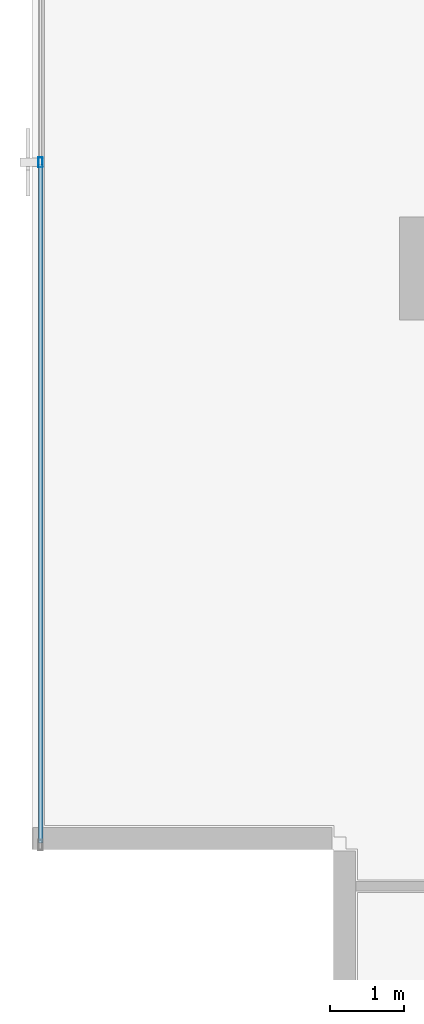
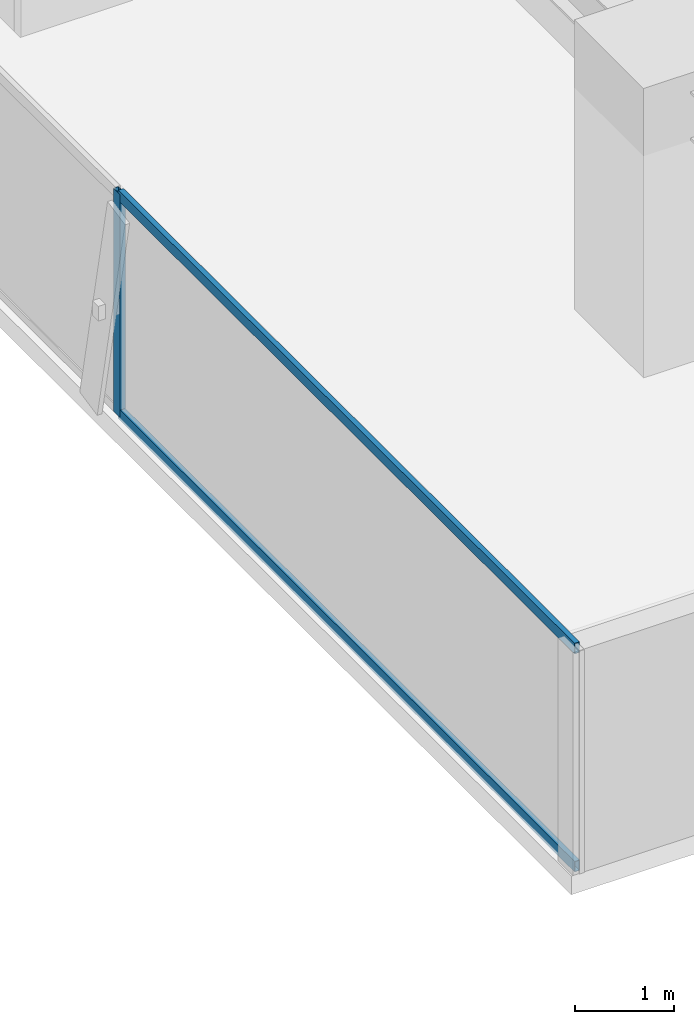
# One storey, part 4 of 25: 3 members, 1 element without a shape of its own.
"""IFC4 building model written with IfcOpenShell, lengths in metres."""

from ifc_helpers import new_model, si_unit, direction, frame, origin, origin_2d, place, context, subcontext, project, spatial, hollow_rectangle, extrude, source, transform, mapped, material, layer, layer_set, material_profile, profile_set, type_object, element, aggregate, save


model = new_model("IFC4")

# Units and contexts
model_context = context("Model", 3, precision=1e-05, world=origin(), true_north=direction((0.0, 1.0)))
body_context = subcontext(model_context, "Body", "Model", "MODEL_VIEW")
ifc_project = project(units=[si_unit("LENGTHUNIT", "METRE"), si_unit("AREAUNIT", "SQUARE_METRE"), si_unit("VOLUMEUNIT", "CUBIC_METRE"), si_unit("PLANEANGLEUNIT", "RADIAN"), si_unit("MASSUNIT", "GRAM", prefix="KILO")], contexts=[model_context])

# Site, building, storey
site_placement = place(None, origin())
site = spatial("IfcSite", under=ifc_project, at=site_placement, CompositionType="ELEMENT")
building_placement = place(site_placement, origin())
building = spatial("IfcBuilding", under=site, at=building_placement, Name="Sumidabori Civic Tower", CompositionType="ELEMENT")
storey_placement = place(building_placement, frame((0.0, 0.0, 232.39990234375)))
storey = spatial("IfcBuildingStorey", under=building, at=storey_placement, Name="L60", CompositionType="ELEMENT", Elevation=232.39990234375)

# Curtain wall, members
ifc_material = material(Name="Anodised Bronze Aluminium AW-6063-T6", Category="aluminium")
ifc_layer = layer(ifc_material, 0.179931640625, Name="Anodised Bronze Aluminium AW-6063-T6")
ifc_layer_set = layer_set([ifc_layer], Name="Anodised Bronze Aluminium AW-6063-T6")
curtain_wall_type = type_object("IfcCurtainWallType", Name="CW-SYS-5", PredefinedType="NOTDEFINED", material=ifc_layer_set)
curtain_wall_placement = place(storey_placement, origin())
curtain_wall = element("IfcCurtainWall", 1, at=curtain_wall_placement, inside=storey, type_object=curtain_wall_type, Name="Curtain Wall CW:L60:R10", PredefinedType="NOTDEFINED")
ifc_material_profile_1 = material_profile(ifc_material, hollow_rectangle(XDim=0.06005859375, YDim=0.139892578125, WallThickness=0.0048828125, at=origin_2d()), Name="ALU MULLION 140x60")
ifc_profile_set_1 = profile_set([ifc_material_profile_1], Name="Anodised Bronze Aluminium AW-6063-T6")
member_type_1 = type_object("IfcMemberType", Name="CW-MUL-140", PredefinedType="MULLION", material=ifc_profile_set_1)
shared_shape_1 = source(origin(), body_context, "Body", "SweptSolid", [
    extrude(hollow_rectangle(XDim=0.06005859375, YDim=0.139892578125, WallThickness=0.0048828125, at=origin_2d()), origin(), (0.0, 0.0, 1.0), 2.75),
])
member_1_placement = place(storey_placement, frame((-22.3798828125, 1.443359375, 0.0), z_axis=(0.0, 0.0, 1.0), x_axis=(1.0, 0.0, 0.0)))
member_1 = element("IfcMember", 2, at=member_1_placement, type_object=member_type_1, Name="CW-5 mullion 3", PredefinedType="MULLION", context=body_context, shape_type="MappedRepresentation", body=[
    mapped(shared_shape_1, transform((0.0, 0.0, 0.0), x_axis=(1.0, 0.0, 0.0), y_axis=(0.0, 1.0, 0.0), z_axis=(0.0, 0.0, 1.0), scale=1.0)),
])
ifc_material_profile_2 = material_profile(ifc_material, hollow_rectangle(XDim=0.06005859375, YDim=0.1298828125, WallThickness=0.0048828125, at=origin_2d()), Name="ALU TRANSOM 130x60")
ifc_profile_set_2 = profile_set([ifc_material_profile_2], Name="Anodised Bronze Aluminium AW-6063-T6")
member_type_2 = type_object("IfcMemberType", Name="CW-TRN-130", PredefinedType="USERDEFINED", material=ifc_profile_set_2)
shared_shape_2 = source(origin(), body_context, "Body", "SweptSolid", [
    extrude(hollow_rectangle(XDim=0.06005859375, YDim=0.1298828125, WallThickness=0.0048828125, at=origin_2d()), origin(), (0.0, 0.0, 1.0), 9.223388671875),
])
member_2_placement = place(storey_placement, frame((-22.3798828125, 1.413330078125, 0.030029296875), z_axis=(0.0, -1.0, 0.0), x_axis=(1.0, 0.0, 0.0)))
member_2 = element("IfcMember", 3, at=member_2_placement, type_object=member_type_2, Name="CW-5 transom 3.1", ObjectType="TRANSOM", PredefinedType="USERDEFINED", context=body_context, shape_type="MappedRepresentation", body=[
    mapped(shared_shape_2, transform((0.0, 0.0, 0.0), x_axis=(1.0, 0.0, 0.0), y_axis=(0.0, 1.0, 0.0), z_axis=(0.0, 0.0, 1.0), scale=1.0)),
])
member_3_placement = place(storey_placement, frame((-22.3798828125, 1.413330078125, 2.72021484375), z_axis=(0.0, -1.0, 0.0), x_axis=(1.0, 0.0, 0.0)))
member_3 = element("IfcMember", 4, at=member_3_placement, type_object=member_type_2, Name="CW-5 transom 3.2", ObjectType="TRANSOM", PredefinedType="USERDEFINED", context=body_context, shape_type="MappedRepresentation", body=[
    mapped(shared_shape_2, transform((0.0, 0.0, 0.0), x_axis=(1.0, 0.0, 0.0), y_axis=(0.0, 1.0, 0.0), z_axis=(0.0, 0.0, 1.0), scale=1.0)),
])
aggregate(curtain_wall, [member_1, member_2, member_3])

save(model, "model.ifc")
